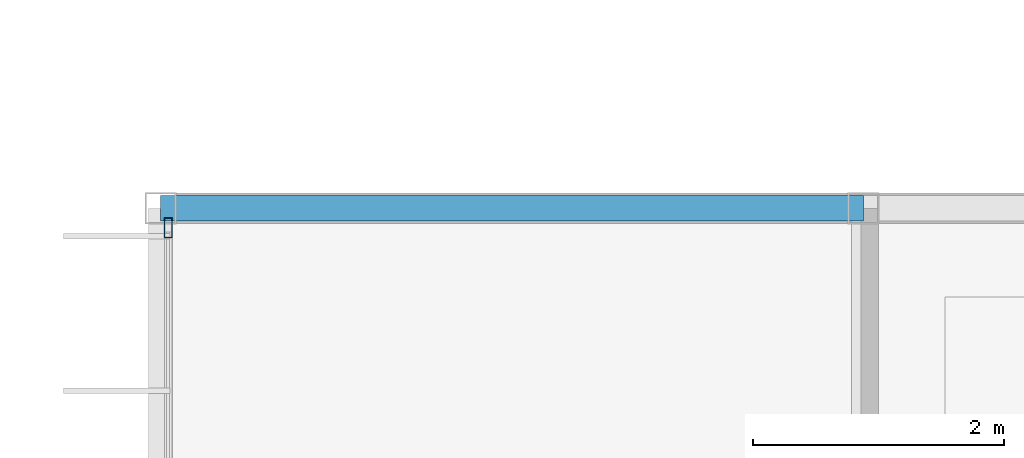
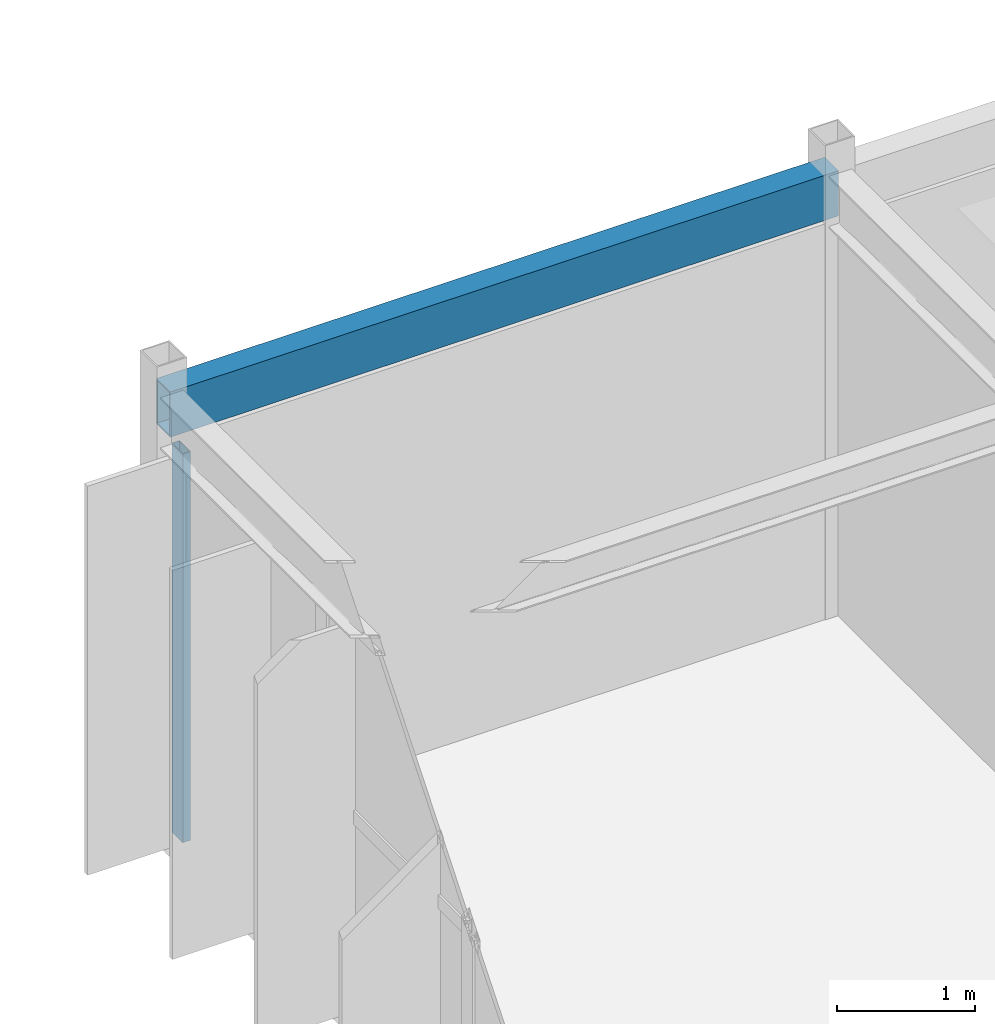
# One storey, part 69 of 147: 1 beam, 1 member, 1 element without a shape of its own.
"""IFC4 building model written with IfcOpenShell, lengths in metres."""

from ifc_helpers import new_model, si_unit, direction, frame, origin, origin_2d, place, context, subcontext, project, spatial, hollow_rectangle, extrude, material, material_profile, profile_set, type_object, element, aggregate, save


model = new_model("IFC4")

# Units and contexts
model_context = context("Model", 3, precision=1e-05, world=origin(), true_north=direction((0.0, 1.0)))
body_context = subcontext(model_context, "Body", "Model", "MODEL_VIEW")
ifc_project = project(units=[si_unit("LENGTHUNIT", "METRE"), si_unit("AREAUNIT", "SQUARE_METRE"), si_unit("VOLUMEUNIT", "CUBIC_METRE"), si_unit("PLANEANGLEUNIT", "RADIAN"), si_unit("MASSUNIT", "GRAM", prefix="KILO")], contexts=[model_context])

# Site, building, storey
site_placement = place(None, origin())
site = spatial("IfcSite", under=ifc_project, at=site_placement, CompositionType="ELEMENT")
building_placement = place(site_placement, origin())
building = spatial("IfcBuilding", under=site, at=building_placement, Name="Karori Crest Natural Sciences Institute", CompositionType="ELEMENT")
storey_placement = place(building_placement, frame((0.0, 0.0, 9.10009765625)))
storey = spatial("IfcBuildingStorey", under=building, at=storey_placement, Name="L02", CompositionType="ELEMENT", Elevation=9.10009765625)

# Beam
ifc_material_1 = material(Name="Hollow structural steel AS/NZS 1163 Grade C350", Category="steel")
ifc_material_profile_1 = material_profile(ifc_material_1, hollow_rectangle(XDim=0.199951171875, YDim=0.39990234375, WallThickness=0.012451171875, at=origin_2d()), Name="RHS400x200x12.5")
ifc_profile_set_1 = profile_set([ifc_material_profile_1], Name="Hollow structural steel AS/NZS 1163 Grade C350")
beam_type = type_object("IfcBeamType", Name="BT-14", PredefinedType="SPANDREL", material=ifc_profile_set_1)
beam_placement = place(storey_placement, frame((1.800048828125, 73.39990234375, 3.719970703125), z_axis=(1.0, 0.0, 0.0), x_axis=(0.0, 1.0, 0.0)))
element("IfcBeam", 1, at=beam_placement, inside=storey, type_object=beam_type, Name="Beam B-1093", PredefinedType="SPANDREL", context=body_context, shape_type="SweptSolid", body=[
    extrude(hollow_rectangle(XDim=0.199951171875, YDim=0.39990234375, WallThickness=0.012451171875, at=origin_2d()), origin(), (0.0, 0.0, 1.0), 5.599853515625),
])

# Curtain wall, member
ifc_material_2 = material(Name="Anodised architectural aluminium 6063-T6", Category="aluminium")
curtain_wall_type = type_object("IfcCurtainWallType", Name="CWT-17", PredefinedType="NOTDEFINED", material=ifc_material_2)
curtain_wall_placement = place(storey_placement, origin())
curtain_wall = element("IfcCurtainWall", 2, at=curtain_wall_placement, inside=storey, type_object=curtain_wall_type, Name="Curtain wall CW-0274", PredefinedType="NOTDEFINED")
ifc_material_profile_2 = material_profile(ifc_material_2, hollow_rectangle(XDim=0.06494140625, YDim=0.159912109375, WallThickness=0.00390625, at=origin_2d()), Name="CWM160x65x4")
ifc_profile_set_2 = profile_set([ifc_material_profile_2], Name="Anodised architectural aluminium 6063-T6")
member_type = type_object("IfcMemberType", Name="CWM-01", PredefinedType="MULLION", material=ifc_profile_set_2)
member_placement = place(storey_placement, frame((1.860107421875, 73.244384765625, 0.0), z_axis=(0.0, 0.0, 1.0), x_axis=(-1.0, 0.0, 0.0)))
member = element("IfcMember", 3, at=member_placement, type_object=member_type, Name="CW-0274 mullion 4", PredefinedType="MULLION", context=body_context, shape_type="SweptSolid", body=[
    extrude(hollow_rectangle(XDim=0.06494140625, YDim=0.159912109375, WallThickness=0.00390625, at=origin_2d()), origin(), (0.0, 0.0, 1.0), 3.44482421875),
])
aggregate(curtain_wall, [member])

save(model, "model.ifc")
